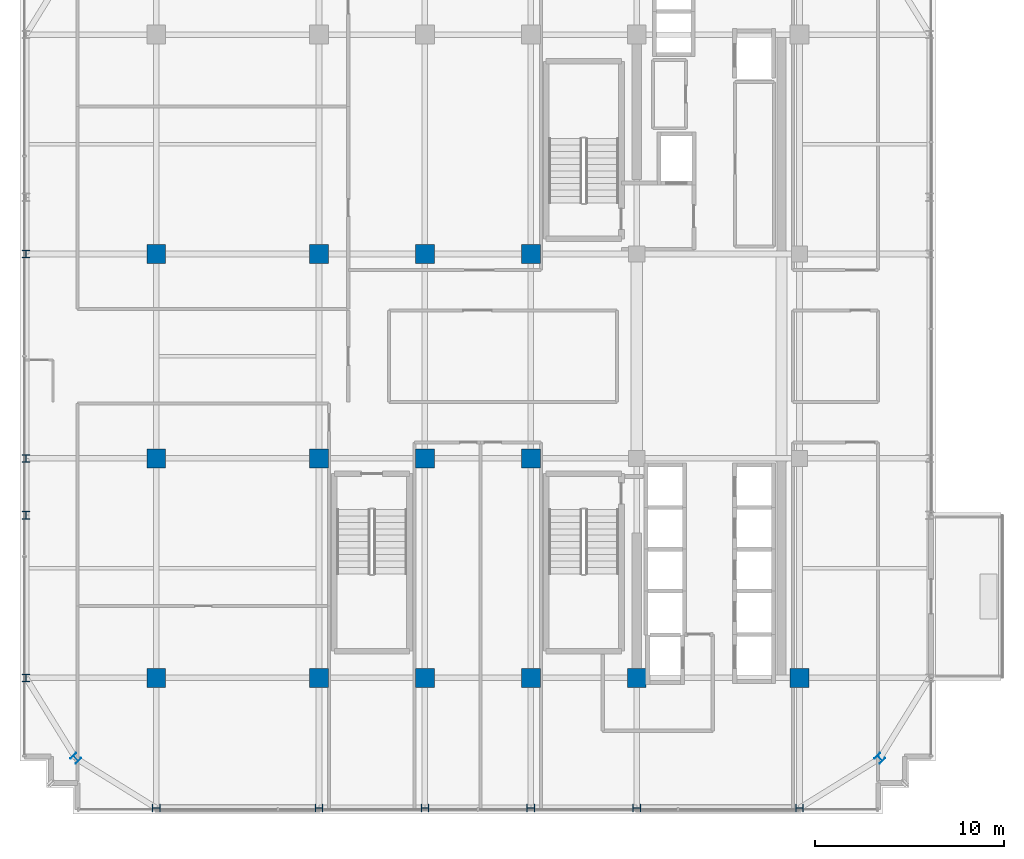
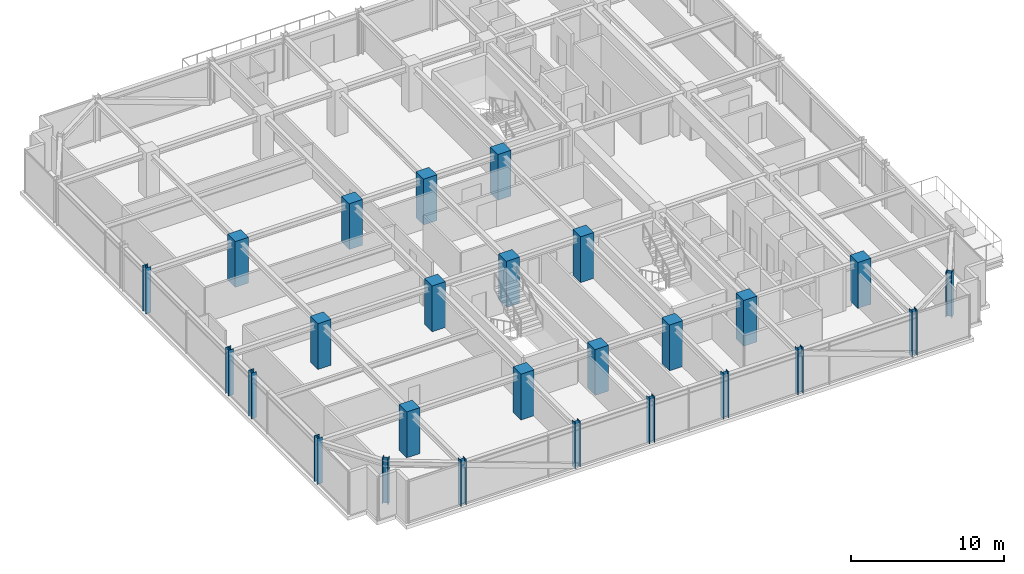
# One storey, part 1 of 42: 26 columns.
"""IFC4 building model written with IfcOpenShell, lengths in metres."""

from ifc_helpers import new_model, si_unit, direction, frame, origin, origin_2d, place, context, subcontext, project, spatial, rectangle, i_section, extrude, source, transform, mapped, material, material_profile, profile_set, type_object, element, save


model = new_model("IFC4")

# Units and contexts
model_context = context("Model", 3, precision=1e-05, world=origin(), true_north=direction((0.0, 1.0)))
body_context = subcontext(model_context, "Body", "Model", "MODEL_VIEW")
ifc_project = project(units=[si_unit("LENGTHUNIT", "METRE"), si_unit("AREAUNIT", "SQUARE_METRE"), si_unit("VOLUMEUNIT", "CUBIC_METRE"), si_unit("PLANEANGLEUNIT", "RADIAN"), si_unit("MASSUNIT", "GRAM", prefix="KILO")], contexts=[model_context])

# Site, building, storey
site_placement = place(None, origin())
site = spatial("IfcSite", under=ifc_project, at=site_placement, CompositionType="ELEMENT")
building_placement = place(site_placement, origin())
building = spatial("IfcBuilding", under=site, at=building_placement, Name="Nahalor Promenade Grand Hotel", CompositionType="ELEMENT")
storey_placement = place(building_placement, frame((0.0, 0.0, 249.300048828125)))
storey = spatial("IfcBuildingStorey", under=building, at=storey_placement, Name="L64", CompositionType="ELEMENT", Elevation=249.300048828125)

# Columns
ifc_material_1 = material(Name="Concrete B-60 (C50/60)", Category="concrete")
ifc_material_profile_1 = material_profile(ifc_material_1, rectangle(XDim=1.0, YDim=1.0, at=origin_2d()), Name="RC 1000x1000")
ifc_profile_set_1 = profile_set([ifc_material_profile_1], Name="Concrete B-60 (C50/60)")
column_type_1 = type_object("IfcColumnType", Name="Col-RC-1000", PredefinedType="COLUMN", material=ifc_profile_set_1)
shared_shape_1 = source(origin(), body_context, "Body", "SweptSolid", [
    extrude(rectangle(XDim=1.0, YDim=1.0, at=origin_2d()), origin(), (0.0, 0.0, 1.0), 3.655029296875),
])
for number, where, z_axis, x_axis, name in (
    (1, (-17.0, -17.0, 0.0), (0.0, 0.0, 1.0), (1.0, 0.0, 0.0), "COL-L64-I00"),
    (2, (-17.0, -5.39990234375, 0.0), (0.0, 0.0, 1.0), (1.0, 0.0, 0.0), "COL-L64-I01"),
    (3, (-17.0, 5.39990234375, 0.0), (0.0, 0.0, 1.0), (1.0, 0.0, 0.0), "COL-L64-I02"),
    (4, (-8.39990234375, -17.0, 0.0), (0.0, 0.0, 1.0), (1.0, 0.0, 0.0), "COL-L64-I10"),
    (5, (-8.39990234375, -5.39990234375, 0.0), (0.0, 0.0, 1.0), (1.0, 0.0, 0.0), "COL-L64-I11"),
    (6, (-8.39990234375, 5.39990234375, 0.0), (0.0, 0.0, 1.0), (1.0, 0.0, 0.0), "COL-L64-I12"),
    (7, (-2.800048828125, -17.0, 0.0), (0.0, 0.0, 1.0), (1.0, 0.0, 0.0), "COL-L64-I20"),
    (8, (-2.800048828125, -5.39990234375, 0.0), (0.0, 0.0, 1.0), (1.0, 0.0, 0.0), "COL-L64-I21"),
    (9, (-2.800048828125, 5.39990234375, 0.0), (0.0, 0.0, 1.0), (1.0, 0.0, 0.0), "COL-L64-I22"),
    (10, (2.800048828125, -17.0, 0.0), (0.0, 0.0, 1.0), (1.0, 0.0, 0.0), "COL-L64-I30"),
    (11, (2.800048828125, -5.39990234375, 0.0), (0.0, 0.0, 1.0), (1.0, 0.0, 0.0), "COL-L64-I31"),
    (12, (2.800048828125, 5.39990234375, 0.0), (0.0, 0.0, 1.0), (1.0, 0.0, 0.0), "COL-L64-I32"),
    (13, (8.39990234375, -17.0, 0.0), (0.0, 0.0, 1.0), (1.0, 0.0, 0.0), "COL-L64-I40"),
    (14, (17.0, -17.0, 0.0), (0.0, 0.0, 1.0), (1.0, 0.0, 0.0), "COL-L64-I50"),
):
    element("IfcColumn", number, at=place(storey_placement, frame(where, z_axis=z_axis, x_axis=x_axis)), inside=storey, type_object=column_type_1, Name=name, PredefinedType="COLUMN", context=body_context, shape_type="MappedRepresentation", body=[
        mapped(shared_shape_1, transform((0.0, 0.0, 0.0), scale=1.0)),
    ])
ifc_material_2 = material(Name="Steel S355JR", Category="steel")
ifc_material_profile_2 = material_profile(ifc_material_2, i_section(OverallWidth=0.401, OverallDepth=0.406, WebThickness=0.0161, FlangeThickness=0.025, at=origin_2d()), Name="HD 400x314")
ifc_profile_set_2 = profile_set([ifc_material_profile_2], Name="Steel S355JR")
column_type_2 = type_object("IfcColumnType", Name="Col-Steel-HD314", PredefinedType="COLUMN", material=ifc_profile_set_2)
shared_shape_2 = source(origin(), body_context, "Body", "SweptSolid", [
    extrude(i_section(OverallWidth=0.401, OverallDepth=0.406, WebThickness=0.0161, FlangeThickness=0.025, at=origin_2d()), origin(), (0.0, 0.0, 1.0), 3.655029296875),
])
for number, where, z_axis, x_axis, name in (
    (15, (-23.8798828125, -17.0, 0.0), (0.0, 0.0, 1.0), (1.0, 0.0, 0.0), "COL-L64-PW-W0"),
    (16, (-23.8798828125, -8.39990234375, 0.0), (0.0, 0.0, 1.0), (1.0, 0.0, 0.0), "COL-L64-PW-W1"),
    (17, (-23.8798828125, -5.39990234375, 0.0), (0.0, 0.0, 1.0), (1.0, 0.0, 0.0), "COL-L64-PW-W2"),
    (18, (-23.8798828125, 5.39990234375, 0.0), (0.0, 0.0, 1.0), (1.0, 0.0, 0.0), "COL-L64-PW-W3"),
    (19, (-17.0, -23.8798828125, 0.0), (0.0, 0.0, 1.0), (0.0, 1.0, 0.0), "COL-L64-PN-S0"),
    (20, (-8.39990234375, -23.8798828125, 0.0), (0.0, 0.0, 1.0), (0.0, 1.0, 0.0), "COL-L64-PN-S1"),
    (21, (-2.800048828125, -23.8798828125, 0.0), (0.0, 0.0, 1.0), (0.0, 1.0, 0.0), "COL-L64-PN-S2"),
    (22, (2.800048828125, -23.8798828125, 0.0), (0.0, 0.0, 1.0), (0.0, 1.0, 0.0), "COL-L64-PN-S3"),
    (23, (8.39990234375, -23.8798828125, 0.0), (0.0, 0.0, 1.0), (0.0, 1.0, 0.0), "COL-L64-PN-S4"),
    (24, (17.0, -23.8798828125, 0.0), (0.0, 0.0, 1.0), (0.0, 1.0, 0.0), "COL-L64-PN-S5"),
    (25, (-21.25, -21.25, 0.0), (0.0, 0.0, 1.0), (0.707106781187, 0.707106781187, 0.0), "COL-L64-CRN-SW"),
    (26, (21.25, -21.25, 0.0), (0.0, 0.0, 1.0), (0.707106781187, 0.707106781187, 0.0), "COL-L64-CRN-SE"),
):
    element("IfcColumn", number, at=place(storey_placement, frame(where, z_axis=z_axis, x_axis=x_axis)), inside=storey, type_object=column_type_2, Name=name, PredefinedType="COLUMN", context=body_context, shape_type="MappedRepresentation", body=[
        mapped(shared_shape_2, transform((0.0, 0.0, 0.0), scale=1.0)),
    ])

save(model, "model.ifc")
